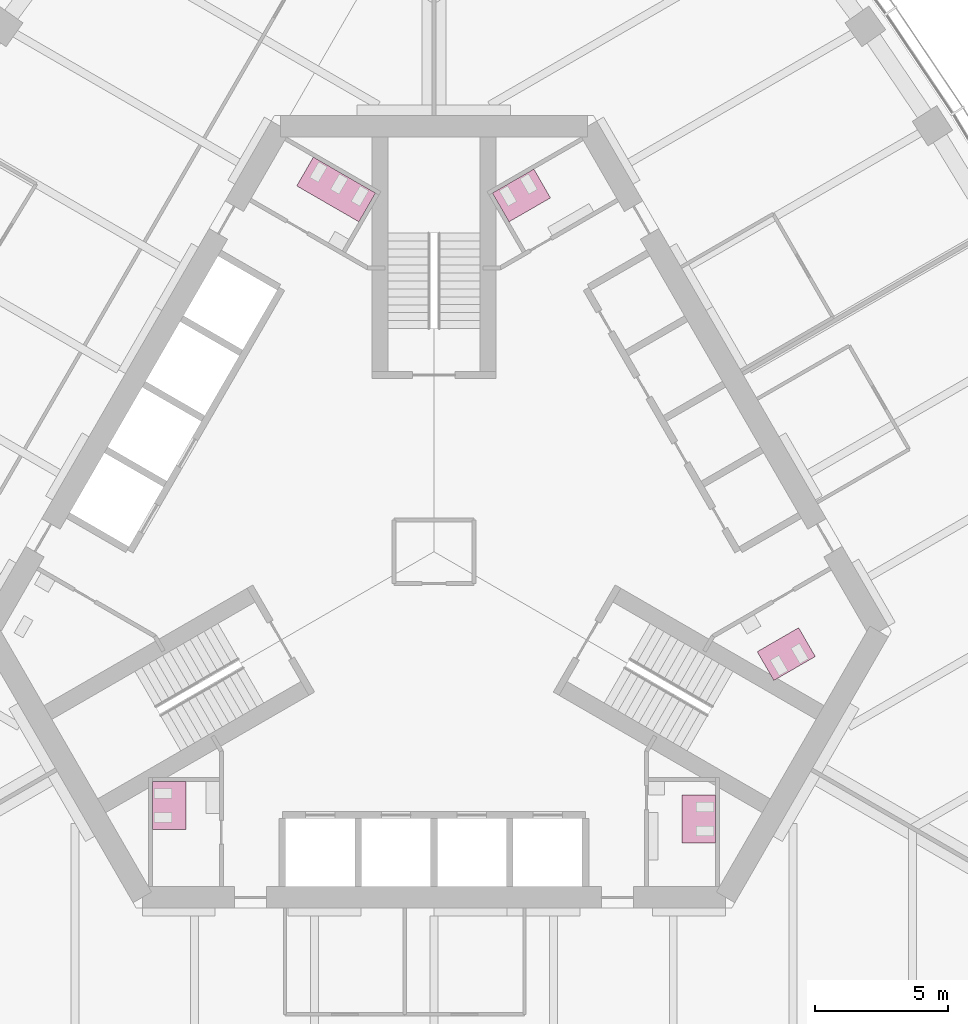
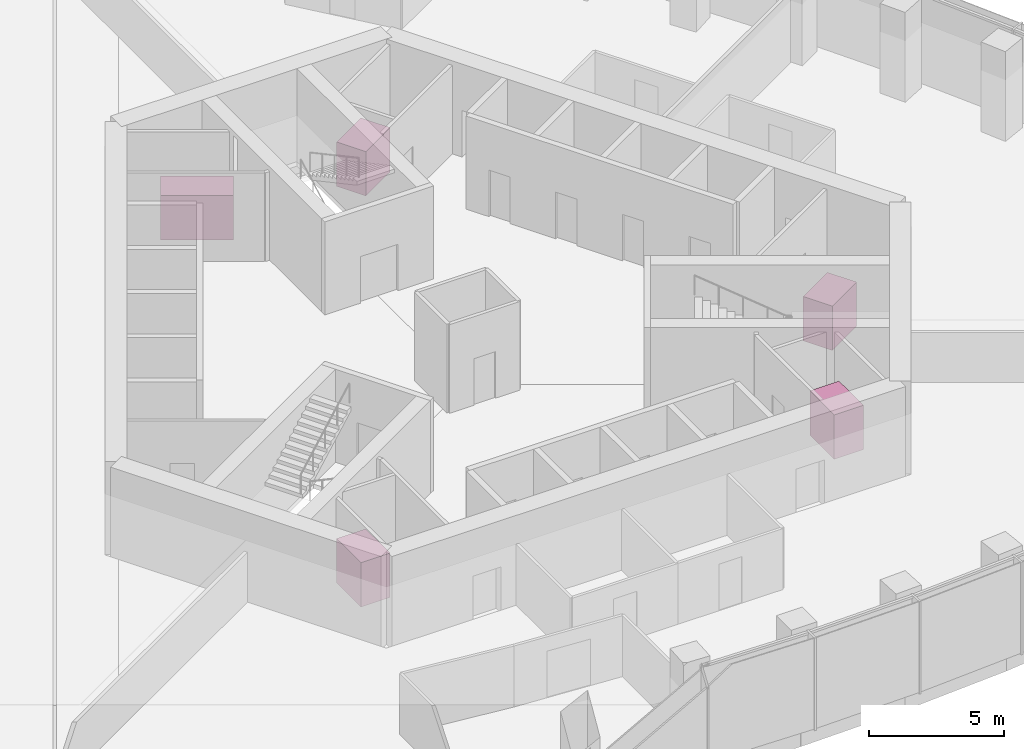
# One storey, part 19 of 19: 5 furniture elements.
"""IFC4 building model written with IfcOpenShell, lengths in metres."""

from ifc_helpers import new_model, si_unit, direction, frame, origin, place, context, subcontext, project, spatial, polyline, outline, extrude, material, type_object, element, save


model = new_model("IFC4")

# Units and contexts
model_context = context("Model", 3, precision=1e-05, world=origin(), true_north=direction((0.0, 1.0)))
body_context = subcontext(model_context, "Body", "Model", "MODEL_VIEW")
ifc_project = project(units=[si_unit("LENGTHUNIT", "METRE"), si_unit("AREAUNIT", "SQUARE_METRE"), si_unit("VOLUMEUNIT", "CUBIC_METRE"), si_unit("PLANEANGLEUNIT", "RADIAN"), si_unit("MASSUNIT", "GRAM", prefix="KILO")], contexts=[model_context])

# Site, building, storey
site_placement = place(None, origin())
site = spatial("IfcSite", under=ifc_project, at=site_placement, CompositionType="ELEMENT")
building_placement = place(site_placement, origin())
building = spatial("IfcBuilding", under=site, at=building_placement, Name="Trefoil Bronze Tower", CompositionType="ELEMENT")
storey_placement = place(building_placement, frame((0.0, 0.0, 206.5)))
storey = spatial("IfcBuildingStorey", under=building, at=storey_placement, Name="L47", CompositionType="ELEMENT", Elevation=206.5)

# Furniture
ifc_material_1 = material(Name="Compact laminate cubicles", Category="plastic")
furniture_type_1 = type_object("IfcFurnitureType", Name="WC cubicle range 2 cubicles", AssemblyPlace="FACTORY", PredefinedType="USERDEFINED", material=ifc_material_1)
furniture_1_placement = place(storey_placement, origin())
element("IfcFurniture", 1, at=furniture_1_placement, inside=storey, type_object=furniture_type_1, Name="WC cubicle range WC (men) L47", ObjectType="WC cubicle range", PredefinedType="USERDEFINED", context=body_context, shape_type="SweptSolid", body=[
    extrude(outline(polyline([(9.3349609375, -9.14990234375), (10.5849609375, -9.14990234375), (10.5849609375, -10.949951171875), (9.3349609375, -10.949951171875), (9.3349609375, -9.14990234375)])), origin(), (0.0, 0.0, 1.0), 2.0),
])
furniture_2_placement = place(storey_placement, origin())
element("IfcFurniture", 2, at=furniture_2_placement, inside=storey, type_object=furniture_type_1, Name="WC cubicle range WC (women) L47", ObjectType="WC cubicle range", PredefinedType="USERDEFINED", context=body_context, shape_type="SweptSolid", body=[
    extrude(outline(polyline([(12.15869140625, -3.75927734375), (12.78369140625, -4.841796875), (14.342529296875, -3.94189453125), (13.717529296875, -2.859375), (12.15869140625, -3.75927734375)])), origin(), (0.0, 0.0, 1.0), 2.0),
])
furniture_3_placement = place(storey_placement, origin())
element("IfcFurniture", 3, at=furniture_3_placement, inside=storey, type_object=furniture_type_1, Name="WC cubicle range WC (men) L47", ObjectType="WC cubicle range", PredefinedType="USERDEFINED", context=body_context, shape_type="SweptSolid", body=[
    extrude(outline(polyline([(2.82373046875, 12.409423828125), (2.19873046875, 13.491943359375), (3.757568359375, 14.391845703125), (4.382568359375, 13.309326171875), (2.82373046875, 12.409423828125)])), origin(), (0.0, 0.0, 1.0), 2.0),
])
furniture_4_placement = place(storey_placement, origin())
element("IfcFurniture", 4, at=furniture_4_placement, inside=storey, type_object=furniture_type_1, Name="WC cubicle range WC (women) L47", ObjectType="WC cubicle range", PredefinedType="USERDEFINED", context=body_context, shape_type="SweptSolid", body=[
    extrude(outline(polyline([(-9.3349609375, -8.64990234375), (-10.5849609375, -8.64990234375), (-10.5849609375, -10.449951171875), (-9.3349609375, -10.449951171875), (-9.3349609375, -8.64990234375)])), origin(), (0.0, 0.0, 1.0), 2.0),
])
ifc_material_2 = material(Name="Compact laminate cubicles", Category="plastic")
furniture_type_2 = type_object("IfcFurnitureType", Name="WC cubicle range 3 cubicles", AssemblyPlace="FACTORY", PredefinedType="USERDEFINED", material=ifc_material_2)
furniture_5_placement = place(storey_placement, origin())
element("IfcFurniture", 5, at=furniture_5_placement, inside=storey, type_object=furniture_type_2, Name="WC cubicle range WC (women) L47", ObjectType="WC cubicle range", PredefinedType="USERDEFINED", context=body_context, shape_type="SweptSolid", body=[
    extrude(outline(polyline([(-2.82373046875, 12.409423828125), (-2.19873046875, 13.491943359375), (-4.536865234375, 14.841796875), (-5.161865234375, 13.75927734375), (-2.82373046875, 12.409423828125)])), origin(), (0.0, 0.0, 1.0), 2.0),
])

save(model, "model.ifc")
